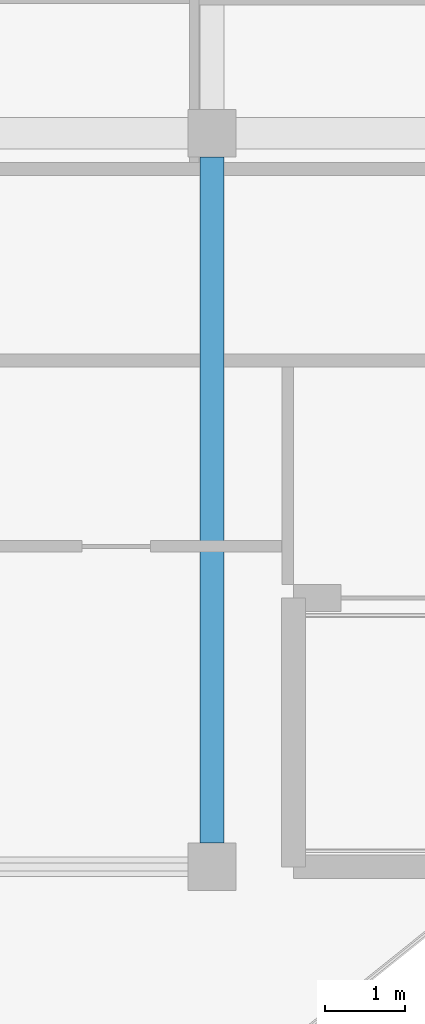
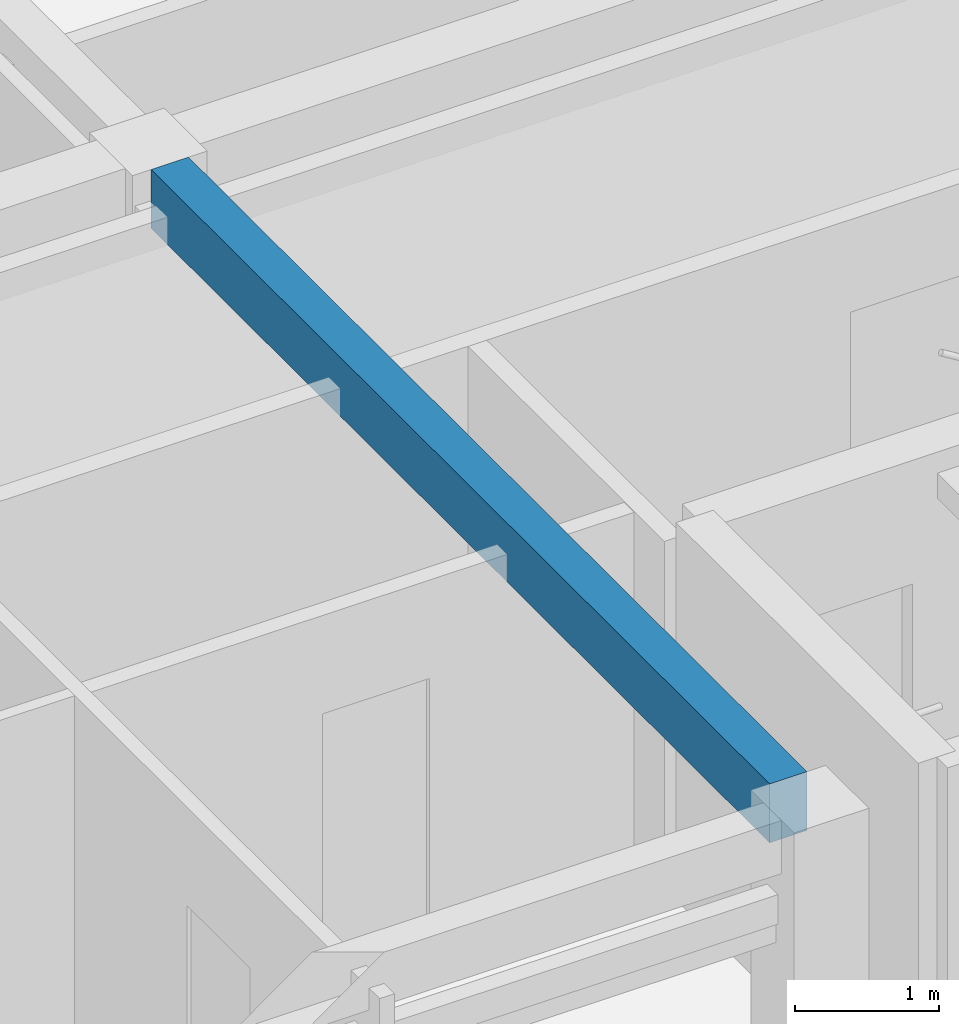
# One storey, part 16 of 79: 1 beam.
"""IFC4 building model written with IfcOpenShell, lengths in metres."""

from ifc_helpers import new_model, si_unit, direction, frame, origin, origin_2d, place, context, subcontext, project, spatial, rectangle, extrude, material, material_profile, profile_set, type_object, element, save


model = new_model("IFC4")

# Units and contexts
model_context = context("Model", 3, precision=1e-05, world=origin(), true_north=direction((0.0, 1.0)))
body_context = subcontext(model_context, "Body", "Model", "MODEL_VIEW")
ifc_project = project(units=[si_unit("LENGTHUNIT", "METRE"), si_unit("AREAUNIT", "SQUARE_METRE"), si_unit("VOLUMEUNIT", "CUBIC_METRE"), si_unit("PLANEANGLEUNIT", "RADIAN"), si_unit("MASSUNIT", "GRAM", prefix="KILO")], contexts=[model_context])

# Site, building, storey
site_placement = place(None, origin())
site = spatial("IfcSite", under=ifc_project, at=site_placement, CompositionType="ELEMENT")
building_placement = place(site_placement, origin())
building = spatial("IfcBuilding", under=site, at=building_placement, Name="Keldmere Railside Commons", CompositionType="ELEMENT")
storey_placement = place(building_placement, frame((0.0, 0.0, 10.56005859375)))
storey = spatial("IfcBuildingStorey", under=building, at=storey_placement, Name="L03", CompositionType="ELEMENT", Elevation=10.56005859375)

# Beam
ifc_material = material(Name="Concrete H-30 (C30/37)", Category="concrete")
ifc_material_profile = material_profile(ifc_material, rectangle(XDim=0.300048828125, YDim=0.5, at=origin_2d()), Name="RC-300x500")
ifc_profile_set = profile_set([ifc_material_profile], Name="Concrete H-30 (C30/37)")
beam_type = type_object("IfcBeamType", Name="Secondary Frame RC Beam 300x500", PredefinedType="BEAM", material=ifc_profile_set)
beam_placement = place(storey_placement, frame((72.830078125, 100.75, 2.949951171875), z_axis=(0.0, 1.0, 0.0), x_axis=(-1.0, 0.0, 0.0)))
element("IfcBeam", 1, at=beam_placement, inside=storey, type_object=beam_type, Name="BG-5 BM-L03-1458", PredefinedType="BEAM", context=body_context, shape_type="SweptSolid", body=[
    extrude(rectangle(XDim=0.300048828125, YDim=0.5, at=origin_2d()), origin(), (0.0, 0.0, 1.0), 8.60009765625),
])

save(model, "model.ifc")
